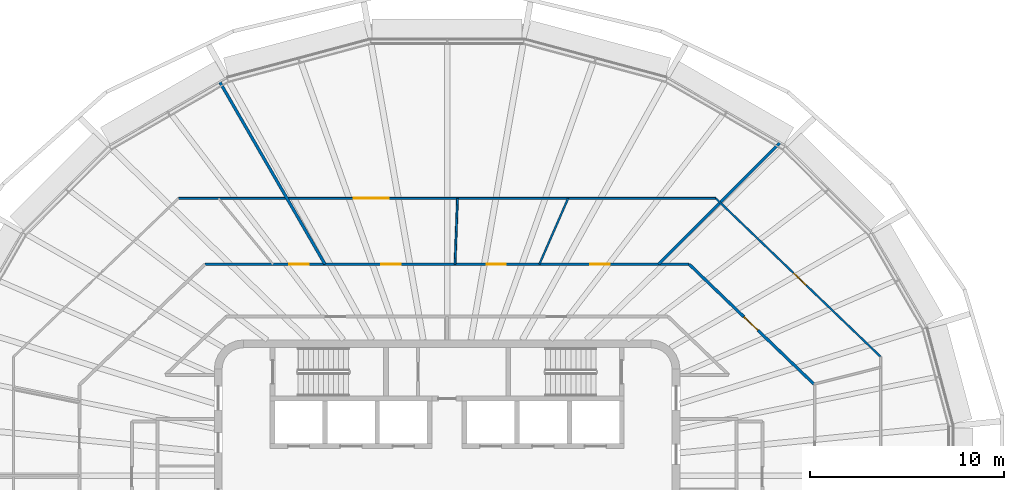
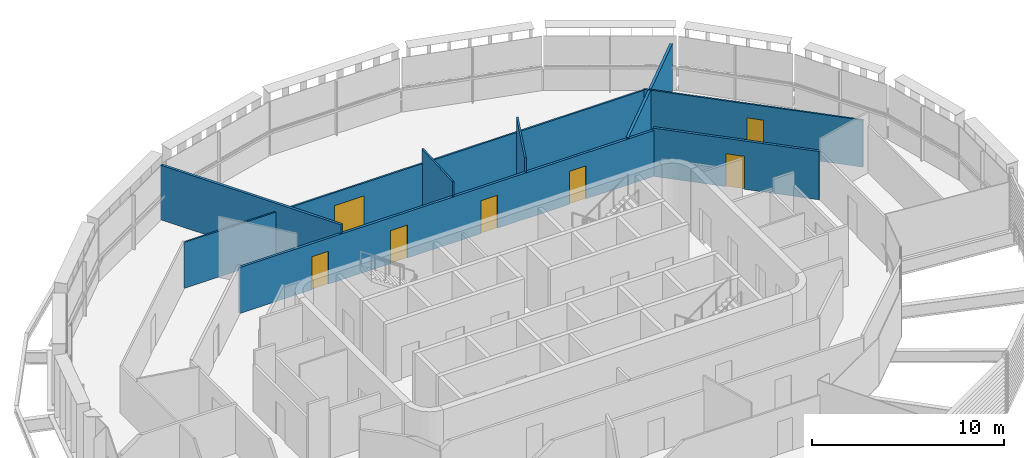
# One storey, part 11 of 18: 8 walls, 7 doors, 7 openings.
"""IFC4 building model written with IfcOpenShell, lengths in metres."""

from ifc_helpers import new_model, si_unit, direction, frame, frame_2d, origin, place, context, subcontext, project, spatial, rectangle, extrude, material, layer, layer_set, type_object, element, fill, save


model = new_model("IFC4")

# Units and contexts
model_context = context("Model", 3, precision=1e-05, world=origin(), true_north=direction((0.0, 1.0)))
body_context = subcontext(model_context, "Body", "Model", "MODEL_VIEW")
ifc_project = project(units=[si_unit("LENGTHUNIT", "METRE"), si_unit("AREAUNIT", "SQUARE_METRE"), si_unit("VOLUMEUNIT", "CUBIC_METRE"), si_unit("PLANEANGLEUNIT", "RADIAN"), si_unit("MASSUNIT", "GRAM", prefix="KILO")], contexts=[model_context])

# Site, building, storey
site_placement = place(None, origin())
site = spatial("IfcSite", under=ifc_project, at=site_placement, CompositionType="ELEMENT")
building_placement = place(site_placement, origin())
building = spatial("IfcBuilding", under=site, at=building_placement, Name="Sahrelin Media Tower", CompositionType="ELEMENT")
storey_placement = place(building_placement, frame((0.0, 0.0, 308.39990234375)))
storey = spatial("IfcBuildingStorey", under=building, at=storey_placement, Name="L68", CompositionType="ELEMENT", Elevation=308.39990234375)

# Wall
ifc_material_1 = material(Name="Fire-rated gypsum board partition")
ifc_layer_1 = layer(ifc_material_1, 0.14990234375)
ifc_layer_set_1 = layer_set([ifc_layer_1], Name="Fire-rated partition 150")
wall_type_1 = type_object("IfcWallType", Name="Fire-rated partition 150", PredefinedType="PARTITIONING", material=ifc_layer_set_1)
wall_1_placement = place(storey_placement, frame((-11.72998046875, 20.31689453125, 0.0), z_axis=(0.0, 0.0, 1.0), x_axis=(0.49996861439, -0.866043523516, 0.0)))
element("IfcWall", 1, at=wall_1_placement, inside=storey, type_object=wall_type_1, Name="Wall", PredefinedType="PARTITIONING", context=body_context, shape_type="SweptSolid", body=[
    extrude(rectangle(XDim=10.874755859375, YDim=0.14990234375, at=frame_2d((5.4375, 0.0))), origin(), (0.0, 0.0, 1.0), 3.47509765625),
])

# Wall, opening, door
wall_2_placement = place(storey_placement, frame((12.47802734375, 10.89892578125, 0.0), z_axis=(0.0, 0.0, 1.0), x_axis=(0.72124338483, -0.692681730551, 0.0)))
wall_2 = element("IfcWall", 2, at=wall_2_placement, inside=storey, type_object=wall_type_1, Name="Wall", PredefinedType="PARTITIONING", context=body_context, shape_type="SweptSolid", body=[
    extrude(rectangle(XDim=8.915283203125, YDim=0.14990234375, at=frame_2d((4.45751953125, 0.0))), origin(), (0.0, 0.0, 1.0), 3.076171875),
])
opening_1_placement = place(wall_2_placement, frame((3.90673828125, 0.0, 0.0)))
opening_1 = element("IfcOpeningElement", 3, at=opening_1_placement, cuts=wall_2, Name="Opening L68-D39", PredefinedType="OPENING", context=body_context, shape_type="SweptSolid", body=[
    extrude(rectangle(XDim=1.0, YDim=2.10009765625, at=frame_2d((0.5, 1.050048828125))), frame((0.0, 0.074951171875, 0.0), z_axis=(0.0, -1.0, 0.0), x_axis=(1.0, 0.0, 0.0)), (0.0, 0.0, 1.0), 0.14990234375),
])
ifc_material_2 = material(Name="Steel fire door leaf", Category="steel")
door_type_1 = type_object("IfcDoorType", Name="Fire door 1000 x 2100 EI 60", OperationType="NOTDEFINED", PredefinedType="DOOR", material=ifc_material_2)
door_1_placement = place(opening_1_placement, origin())
door_1 = element("IfcDoor", 4, at=door_1_placement, inside=storey, type_object=door_type_1, Name="Fire door", OperationType="SINGLE_SWING_RIGHT", OverallHeight=2.10009765625, OverallWidth=1.0, PredefinedType="DOOR", context=body_context, shape_type="SweptSolid", body=[
    extrude(rectangle(XDim=1.0, YDim=2.10009765625, at=frame_2d((0.5, 1.050048828125))), frame((0.0, 0.02490234375, 0.0), z_axis=(0.0, -1.0, 0.0), x_axis=(1.0, 0.0, 0.0)), (0.0, 0.0, 1.0), 0.050048828125),
])
fill(opening_1, door_1)

# Wall, openings, doors
wall_3_placement = place(storey_placement, frame((-12.47802734375, 10.89892578125, 0.0), z_axis=(0.0, 0.0, 1.0), x_axis=(1.0, 0.0, 0.0)))
wall_3 = element("IfcWall", 5, at=wall_3_placement, inside=storey, type_object=wall_type_1, Name="Wall", PredefinedType="PARTITIONING", context=body_context, shape_type="SweptSolid", body=[
    extrude(rectangle(XDim=24.9560546875, YDim=0.14990234375, at=frame_2d((12.47802734375, 0.0))), origin(), (0.0, 0.0, 1.0), 2.927001953125),
])
opening_2_placement = place(wall_3_placement, frame((19.855712890625, 0.0, 0.0)))
opening_2 = element("IfcOpeningElement", 6, at=opening_2_placement, cuts=wall_3, Name="Opening L68-D24", PredefinedType="OPENING", context=body_context, shape_type="SweptSolid", body=[
    extrude(rectangle(XDim=1.0, YDim=2.10009765625, at=frame_2d((0.5, 1.050048828125))), frame((0.0, 0.074951171875, 0.0), z_axis=(0.0, -1.0, 0.0), x_axis=(1.0, 0.0, 0.0)), (0.0, 0.0, 1.0), 0.14990234375),
])
opening_3_placement = place(wall_3_placement, frame((14.50830078125, 0.0, 0.0)))
opening_3 = element("IfcOpeningElement", 7, at=opening_3_placement, cuts=wall_3, Name="Opening L68-D25", PredefinedType="OPENING", context=body_context, shape_type="SweptSolid", body=[
    extrude(rectangle(XDim=1.0, YDim=2.10009765625, at=frame_2d((0.5, 1.050048828125))), frame((0.0, 0.074951171875, 0.0), z_axis=(0.0, -1.0, 0.0), x_axis=(1.0, 0.0, 0.0)), (0.0, 0.0, 1.0), 0.14990234375),
])
opening_4_placement = place(wall_3_placement, frame((9.08544921875, 0.0, 0.0)))
opening_4 = element("IfcOpeningElement", 8, at=opening_4_placement, cuts=wall_3, Name="Opening L68-D26", PredefinedType="OPENING", context=body_context, shape_type="SweptSolid", body=[
    extrude(rectangle(XDim=1.0, YDim=2.10009765625, at=frame_2d((0.5, 1.050048828125))), frame((0.0, 0.074951171875, 0.0), z_axis=(0.0, -1.0, 0.0), x_axis=(1.0, 0.0, 0.0)), (0.0, 0.0, 1.0), 0.14990234375),
])
opening_5_placement = place(wall_3_placement, frame((4.343017578125, 0.0, 0.0)))
opening_5 = element("IfcOpeningElement", 9, at=opening_5_placement, cuts=wall_3, Name="Opening L68-D28", PredefinedType="OPENING", context=body_context, shape_type="SweptSolid", body=[
    extrude(rectangle(XDim=1.0, YDim=2.10009765625, at=frame_2d((0.5, 1.050048828125))), frame((0.0, 0.074951171875, 0.0), z_axis=(0.0, -1.0, 0.0), x_axis=(1.0, 0.0, 0.0)), (0.0, 0.0, 1.0), 0.14990234375),
])
door_2_placement = place(opening_2_placement, origin())
door_2 = element("IfcDoor", 10, at=door_2_placement, inside=storey, type_object=door_type_1, Name="Fire door", OperationType="SINGLE_SWING_RIGHT", OverallHeight=2.10009765625, OverallWidth=1.0, PredefinedType="DOOR", context=body_context, shape_type="SweptSolid", body=[
    extrude(rectangle(XDim=1.0, YDim=2.10009765625, at=frame_2d((0.5, 1.050048828125))), frame((0.0, 0.02490234375, 0.0), z_axis=(0.0, -1.0, 0.0), x_axis=(1.0, 0.0, 0.0)), (0.0, 0.0, 1.0), 0.050048828125),
])
fill(opening_2, door_2)
door_3_placement = place(opening_3_placement, origin())
door_3 = element("IfcDoor", 11, at=door_3_placement, inside=storey, type_object=door_type_1, Name="Fire door", OperationType="SINGLE_SWING_RIGHT", OverallHeight=2.10009765625, OverallWidth=1.0, PredefinedType="DOOR", context=body_context, shape_type="SweptSolid", body=[
    extrude(rectangle(XDim=1.0, YDim=2.10009765625, at=frame_2d((0.5, 1.050048828125))), frame((0.0, 0.02490234375, 0.0), z_axis=(0.0, -1.0, 0.0), x_axis=(1.0, 0.0, 0.0)), (0.0, 0.0, 1.0), 0.050048828125),
])
fill(opening_3, door_3)
door_4_placement = place(opening_4_placement, origin())
door_4 = element("IfcDoor", 12, at=door_4_placement, inside=storey, type_object=door_type_1, Name="Fire door", OperationType="SINGLE_SWING_LEFT", OverallHeight=2.10009765625, OverallWidth=1.0, PredefinedType="DOOR", context=body_context, shape_type="SweptSolid", body=[
    extrude(rectangle(XDim=1.0, YDim=2.10009765625, at=frame_2d((0.5, 1.050048828125))), frame((0.0, 0.02490234375, 0.0), z_axis=(0.0, -1.0, 0.0), x_axis=(1.0, 0.0, 0.0)), (0.0, 0.0, 1.0), 0.050048828125),
])
fill(opening_4, door_4)
door_5_placement = place(opening_5_placement, origin())
door_5 = element("IfcDoor", 13, at=door_5_placement, inside=storey, type_object=door_type_1, Name="Fire door", OperationType="SINGLE_SWING_LEFT", OverallHeight=2.10009765625, OverallWidth=1.0, PredefinedType="DOOR", context=body_context, shape_type="SweptSolid", body=[
    extrude(rectangle(XDim=1.0, YDim=2.10009765625, at=frame_2d((0.5, 1.050048828125))), frame((0.0, 0.02490234375, 0.0), z_axis=(0.0, -1.0, 0.0), x_axis=(1.0, 0.0, 0.0)), (0.0, 0.0, 1.0), 0.050048828125),
])
fill(opening_5, door_5)

# Wall
wall_4_placement = place(storey_placement, frame((10.89892578125, 10.89892578125, 0.0), z_axis=(0.0, 0.0, 1.0), x_axis=(0.707106781187, 0.707106781187, 0.0)))
element("IfcWall", 14, at=wall_4_placement, inside=storey, type_object=wall_type_1, Name="Wall", PredefinedType="PARTITIONING", context=body_context, shape_type="SweptSolid", body=[
    extrude(rectangle(XDim=8.87451171875, YDim=0.14990234375, at=frame_2d((4.437255859375, 0.0))), origin(), (0.0, 0.0, 1.0), 2.995361328125),
])

# Wall, opening, door
ifc_material_3 = material(Name="Gypsum board partition")
ifc_layer_2 = layer(ifc_material_3, 0.10009765625)
ifc_layer_set_2 = layer_set([ifc_layer_2], Name="Partition 100")
wall_type_2 = type_object("IfcWallType", Name="Partition 100", PredefinedType="PARTITIONING", material=ifc_layer_set_2)
wall_5_placement = place(storey_placement, frame((13.845947265625, 14.299072265625, 0.0), z_axis=(0.0, 0.0, 1.0), x_axis=(0.72117874289, -0.692749031615, 0.0)))
wall_5 = element("IfcWall", 15, at=wall_5_placement, inside=storey, type_object=wall_type_2, Name="Wall", PredefinedType="PARTITIONING", context=body_context, shape_type="SweptSolid", body=[
    extrude(rectangle(XDim=11.790771484375, YDim=0.10009765625, at=frame_2d((5.8955078125, 0.0))), origin(), (0.0, 0.0, 1.0), 2.995361328125),
])
opening_6_placement = place(wall_5_placement, frame((5.55712890625, 0.0, 0.0)))
opening_6 = element("IfcOpeningElement", 16, at=opening_6_placement, cuts=wall_5, Name="Opening L68-D40", PredefinedType="OPENING", context=body_context, shape_type="SweptSolid", body=[
    extrude(rectangle(XDim=0.89990234375, YDim=2.10009765625, at=frame_2d((0.449951171875, 1.050048828125))), frame((0.0, 0.050048828125, 0.0), z_axis=(0.0, -1.0, 0.0), x_axis=(1.0, 0.0, 0.0)), (0.0, 0.0, 1.0), 0.10009765625),
])
ifc_material_4 = material(Name="Timber door leaf", Category="wood")
door_type_2 = type_object("IfcDoorType", Name="Single door 900 x 2100", OperationType="NOTDEFINED", PredefinedType="DOOR", material=ifc_material_4)
door_6_placement = place(opening_6_placement, origin())
door_6 = element("IfcDoor", 17, at=door_6_placement, inside=storey, type_object=door_type_2, Name="Single door", OperationType="SINGLE_SWING_RIGHT", OverallHeight=2.10009765625, OverallWidth=0.89990234375, PredefinedType="DOOR", context=body_context, shape_type="SweptSolid", body=[
    extrude(rectangle(XDim=0.89990234375, YDim=2.10009765625, at=frame_2d((0.449951171875, 1.050048828125))), frame((0.0, 0.02490234375, 0.0), z_axis=(0.0, -1.0, 0.0), x_axis=(1.0, 0.0, 0.0)), (0.0, 0.0, 1.0), 0.050048828125),
])
fill(opening_6, door_6)

wall_6_placement = place(storey_placement, frame((-13.845947265625, 14.299072265625, 0.0), z_axis=(0.0, 0.0, 1.0), x_axis=(1.0, 0.0, 0.0)))
wall_6 = element("IfcWall", 18, at=wall_6_placement, inside=storey, type_object=wall_type_2, Name="Wall", PredefinedType="PARTITIONING", context=body_context, shape_type="SweptSolid", body=[
    extrude(rectangle(XDim=27.69189453125, YDim=0.10009765625, at=frame_2d((13.845947265625, 0.0))), origin(), (0.0, 0.0, 1.0), 2.927001953125),
])
opening_7_placement = place(wall_6_placement, frame((9.03466796875, 0.0, 0.0)))
opening_7 = element("IfcOpeningElement", 19, at=opening_7_placement, cuts=wall_6, Name="Opening L68-D27", PredefinedType="OPENING", context=body_context, shape_type="SweptSolid", body=[
    extrude(rectangle(XDim=1.800048828125, YDim=2.10009765625, at=frame_2d((0.89990234375, 1.050048828125))), frame((0.0, 0.050048828125, 0.0), z_axis=(0.0, -1.0, 0.0), x_axis=(1.0, 0.0, 0.0)), (0.0, 0.0, 1.0), 0.10009765625),
])
door_type_3 = type_object("IfcDoorType", Name="Double door 1800 x 2100", OperationType="DOUBLE_DOOR_SINGLE_SWING", PredefinedType="DOOR", material=ifc_material_4)
door_7_placement = place(opening_7_placement, origin())
door_7 = element("IfcDoor", 20, at=door_7_placement, inside=storey, type_object=door_type_3, Name="Double door", OperationType="DOUBLE_DOOR_SINGLE_SWING", OverallHeight=2.10009765625, OverallWidth=1.800048828125, PredefinedType="DOOR", context=body_context, shape_type="SweptSolid", body=[
    extrude(rectangle(XDim=1.800048828125, YDim=2.10009765625, at=frame_2d((0.89990234375, 1.050048828125))), frame((0.0, 0.02490234375, 0.0), z_axis=(0.0, -1.0, 0.0), x_axis=(1.0, 0.0, 0.0)), (0.0, 0.0, 1.0), 0.050048828125),
])
fill(opening_7, door_7)

# Walls
wall_7_placement = place(storey_placement, frame((4.7548828125, 10.89892578125, 0.0), z_axis=(0.0, 0.0, 1.0), x_axis=(0.399820811011, 0.916593322626, 0.0)))
element("IfcWall", 21, at=wall_7_placement, inside=storey, type_object=wall_type_2, Name="Wall", PredefinedType="PARTITIONING", context=body_context, shape_type="SweptSolid", body=[
    extrude(rectangle(XDim=3.70947265625, YDim=0.10009765625, at=frame_2d((1.854736328125, 0.0))), origin(), (0.0, 0.0, 1.0), 3.85009765625),
])
wall_8_placement = place(storey_placement, frame((0.407958984375, 10.89892578125, 0.0), z_axis=(0.0, 0.0, 1.0), x_axis=(0.037311546962, 0.999303681802, 0.0)))
element("IfcWall", 22, at=wall_8_placement, inside=storey, type_object=wall_type_2, Name="Wall", PredefinedType="PARTITIONING", context=body_context, shape_type="SweptSolid", body=[
    extrude(rectangle(XDim=3.402587890625, YDim=0.10009765625, at=frame_2d((1.701171875, 0.0))), origin(), (0.0, 0.0, 1.0), 3.85009765625),
])

save(model, "model.ifc")
